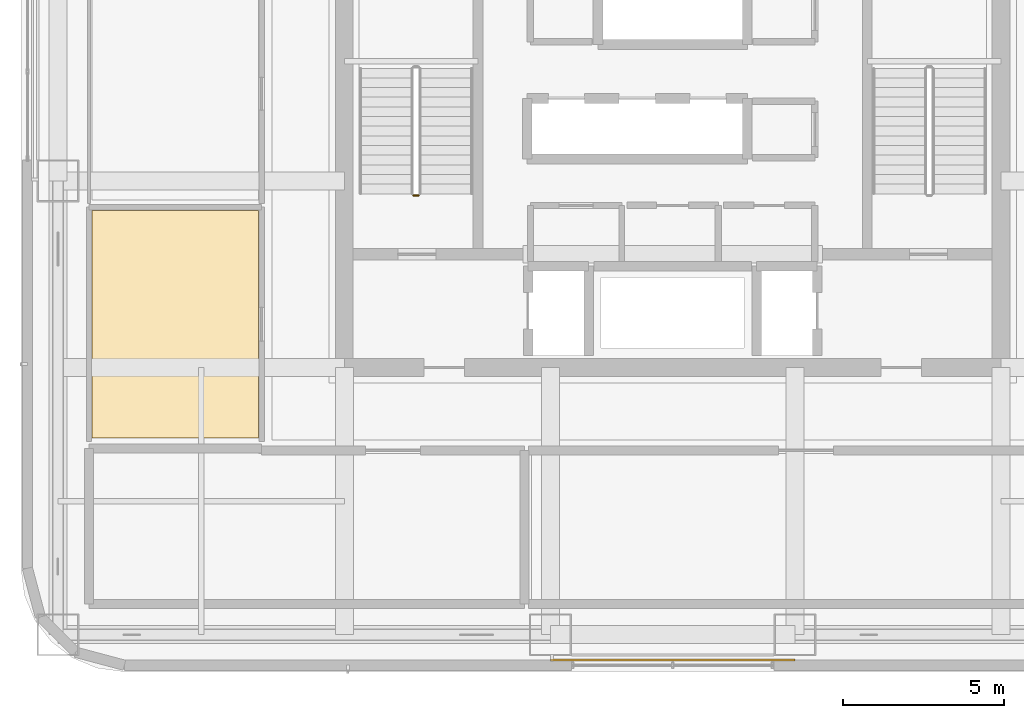
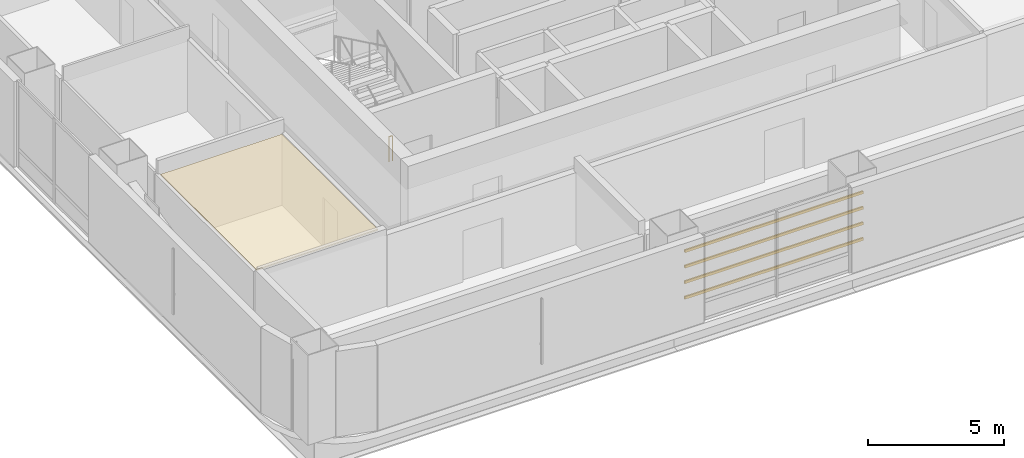
# One storey, part 22 of 30: 4 shading devices, 1 covering, 1 railing.
"""IFC4 building model written with IfcOpenShell, lengths in metres."""

from ifc_helpers import new_model, si_unit, direction, frame, origin, origin_2d, place, context, subcontext, project, spatial, polyline, hollow_rectangle, circle, outline, extrude, material, layer, layer_set, material_profile, profile_set, type_object, element, save


model = new_model("IFC4")

# Units and contexts
model_context = context("Model", 3, precision=1e-05, world=origin(), true_north=direction((0.0, 1.0)))
body_context = subcontext(model_context, "Body", "Model", "MODEL_VIEW")
ifc_project = project(units=[si_unit("LENGTHUNIT", "METRE"), si_unit("AREAUNIT", "SQUARE_METRE"), si_unit("VOLUMEUNIT", "CUBIC_METRE"), si_unit("PLANEANGLEUNIT", "RADIAN"), si_unit("MASSUNIT", "GRAM", prefix="KILO")], contexts=[model_context])

# Site, building, storey
site_placement = place(None, origin())
site = spatial("IfcSite", under=ifc_project, at=site_placement, CompositionType="ELEMENT")
building_placement = place(site_placement, origin())
building = spatial("IfcBuilding", under=site, at=building_placement, Name="Punatoya Terracotta Tower", CompositionType="ELEMENT")
storey_placement = place(building_placement, frame((0.0, 0.0, 251.39990234375)))
storey = spatial("IfcBuildingStorey", under=building, at=storey_placement, Name="L59", CompositionType="ELEMENT", Elevation=251.39990234375)

# Covering
ifc_material_1 = material(Name="Acoustic Mineral Fibre Ceiling")
ifc_layer = layer(ifc_material_1, 0.06005859375)
ifc_layer_set = layer_set([ifc_layer], Name="Acoustic Mineral Fibre Ceiling")
covering_type = type_object("IfcCoveringType", Name="COV-CEIL-60", PredefinedType="CEILING", material=ifc_layer_set)
covering_placement = place(storey_placement, frame((0.0, 0.0, 3.16015625)))
element("IfcCovering", 1, at=covering_placement, inside=storey, type_object=covering_type, Name="L59 Catering Tea Pantry Acoustic Ceiling", PredefinedType="CEILING", context=body_context, shape_type="SweptSolid", body=[
    extrude(outline(polyline([(-18.0400390625, -4.318115234375), (-18.0400390625, -11.389892578125), (-12.8701171875, -11.389892578125), (-12.8701171875, -4.318115234375), (-18.0400390625, -4.318115234375)])), origin(), (0.0, 0.0, 1.0), 0.06005859375),
])

# Railing
ifc_material_2 = material(Name="Steel S355", Category="steel")
railing_type = type_object("IfcRailingType", Name="RLG-GRD-1150", PredefinedType="GUARDRAIL", material=ifc_material_2)
railing_placement = place(storey_placement, frame((-7.89990234375, -3.85009765625, 0.0)))
element("IfcRailing", 2, at=railing_placement, inside=storey, type_object=railing_type, Name="L59 ST-1 stair guard 4", PredefinedType="GUARDRAIL", context=body_context, shape_type="SweptSolid", body=[
    extrude(circle(Radius=0.02392578125, at=origin_2d()), frame((0.0, 0.0, 1.1259765625), z_axis=(-1.0, 0.0, 0.0), x_axis=(0.0, -1.0, 0.0)), (0.0, 0.0, 1.0), 0.150146484375),
    extrude(circle(Radius=0.02099609375, at=origin_2d()), origin(), (0.0, 0.0, 1.0), 1.101806640625),
    extrude(circle(Radius=0.02099609375, at=origin_2d()), frame((-0.150146484375, 0.0, 0.0)), (0.0, 0.0, 1.0), 1.101806640625),
])

# Shading devices
ifc_material_3 = material(Name="Architectural Fired Terracotta", Category="masonry")
ifc_material_profile = material_profile(ifc_material_3, hollow_rectangle(XDim=0.06494140625, YDim=0.1201171875, WallThickness=0.014892578125, at=origin_2d()))
ifc_profile_set = profile_set([ifc_material_profile], Name="Architectural Fired Terracotta")
shading_device_type = type_object("IfcShadingDeviceType", Name="SHD-BAG-120", PredefinedType="USERDEFINED", material=ifc_profile_set)
for number, where, z_axis, x_axis, name in (
    (3, (-3.800048828125, -18.2900390625, 1.150146484375), (1.0, 0.0, 0.0), (0.0, 1.0, 0.0), "L59 Fired Terracotta Baguette Louvre BAG-L59-S-01"),
    (4, (-3.800048828125, -18.2900390625, 1.85009765625), (1.0, 0.0, 0.0), (0.0, 1.0, 0.0), "L59 Fired Terracotta Baguette Louvre BAG-L59-S-02"),
    (5, (-3.800048828125, -18.2900390625, 2.550048828125), (1.0, 0.0, 0.0), (0.0, 1.0, 0.0), "L59 Fired Terracotta Baguette Louvre BAG-L59-S-03"),
    (6, (-3.800048828125, -18.2900390625, 3.25), (1.0, 0.0, 0.0), (0.0, 1.0, 0.0), "L59 Fired Terracotta Baguette Louvre BAG-L59-S-04"),
):
    element("IfcShadingDevice", number, at=place(storey_placement, frame(where, z_axis=z_axis, x_axis=x_axis)), inside=storey, type_object=shading_device_type, Name=name, ObjectType="BAGUETTE", PredefinedType="USERDEFINED", context=body_context, shape_type="SweptSolid", body=[
        extrude(hollow_rectangle(XDim=0.06494140625, YDim=0.1201171875, WallThickness=0.014892578125, at=origin_2d()), origin(), (0.0, 0.0, 1.0), 7.60009765625),
    ])

save(model, "model.ifc")
